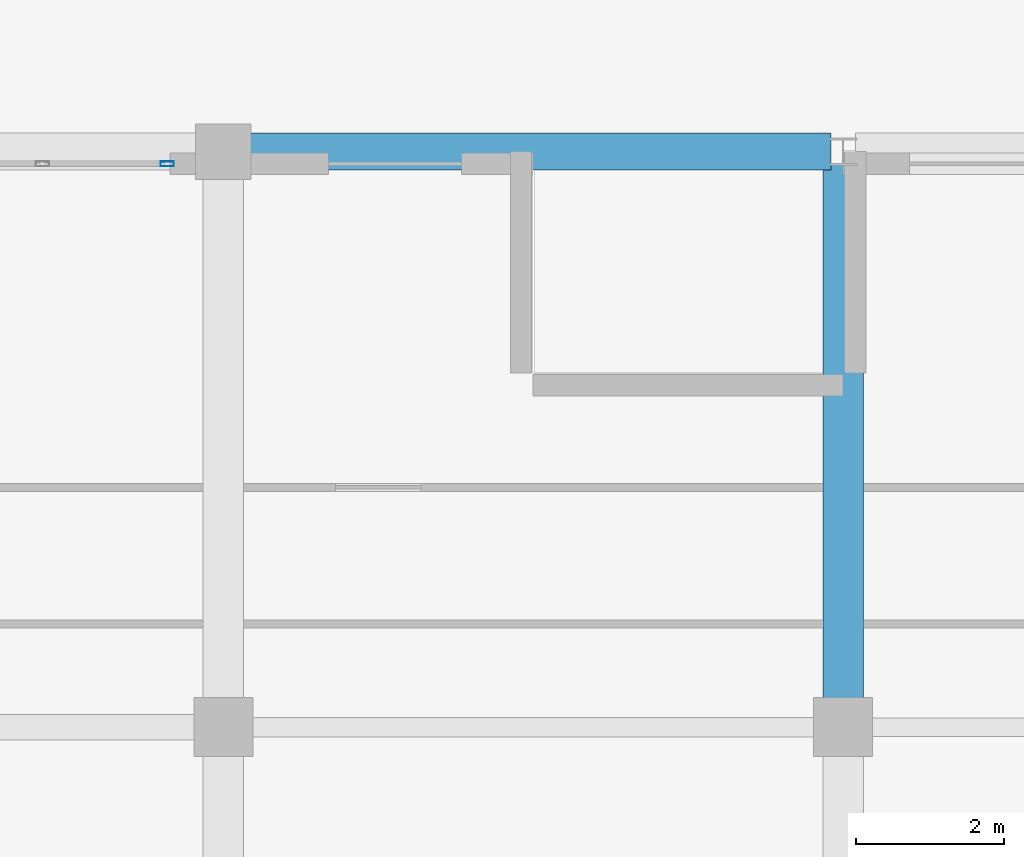
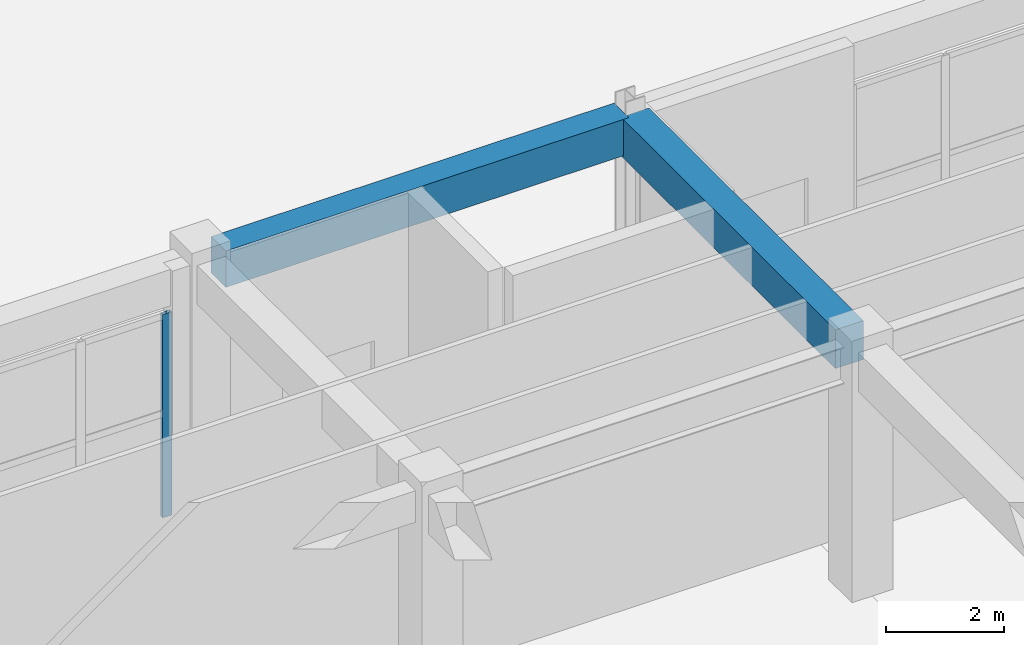
# One storey, part 25 of 148: 2 beams, 1 member, 1 element without a shape of its own.
"""IFC4 building model written with IfcOpenShell, lengths in metres."""

from ifc_helpers import new_model, si_unit, direction, frame, origin, origin_2d, place, context, subcontext, project, spatial, rectangle, hollow_rectangle, extrude, material, layer, layer_set, material_profile, profile_set, type_object, element, aggregate, save


model = new_model("IFC4")

# Units and contexts
model_context = context("Model", 3, precision=1e-05, world=origin(), true_north=direction((0.0, 1.0)))
body_context = subcontext(model_context, "Body", "Model", "MODEL_VIEW")
ifc_project = project(units=[si_unit("LENGTHUNIT", "METRE"), si_unit("AREAUNIT", "SQUARE_METRE"), si_unit("VOLUMEUNIT", "CUBIC_METRE"), si_unit("PLANEANGLEUNIT", "RADIAN"), si_unit("MASSUNIT", "GRAM", prefix="KILO")], contexts=[model_context])

# Site, building, storey
site_placement = place(None, origin())
site = spatial("IfcSite", under=ifc_project, at=site_placement, CompositionType="ELEMENT")
building_placement = place(site_placement, origin())
building = spatial("IfcBuilding", under=site, at=building_placement, Name="Quendrovan Civic Courthouse", CompositionType="ELEMENT")
storey_placement = place(building_placement, origin())
storey = spatial("IfcBuildingStorey", under=building, at=storey_placement, Name="L01", CompositionType="ELEMENT", Elevation=0.0)

# Beams
ifc_material_1 = material(Name="Concrete C40/50", Category="concrete")
ifc_material_profile_1 = material_profile(ifc_material_1, rectangle(XDim=0.5, YDim=0.75, at=origin_2d()), Name="RC-BM-500x750")
ifc_profile_set_1 = profile_set([ifc_material_profile_1], Name="Concrete C40/50")
beam_type_1 = type_object("IfcBeamType", Name="BM-RC750", PredefinedType="SPANDREL", material=ifc_profile_set_1)
beam_1_placement = place(storey_placement, frame((50.7548828125, 15.60009765625, 4.7451171875), z_axis=(1.0, 0.0, 0.0), x_axis=(0.0, 1.0, 0.0)))
element("IfcBeam", 1, at=beam_1_placement, inside=storey, type_object=beam_type_1, Name="L01 Girder X0271", PredefinedType="SPANDREL", context=body_context, shape_type="SweptSolid", body=[
    extrude(rectangle(XDim=0.5, YDim=0.75, at=origin_2d()), origin(), (0.0, 0.0, 1.0), 7.878173828125),
])
ifc_material_profile_2 = material_profile(ifc_material_1, rectangle(XDim=0.550048828125, YDim=0.800048828125, at=origin_2d()), Name="RC-BM-550x800")
ifc_profile_set_2 = profile_set([ifc_material_profile_2], Name="Concrete C40/50")
beam_type_2 = type_object("IfcBeamType", Name="BM-RC800", PredefinedType="BEAM", material=ifc_profile_set_2)
beam_2_placement = place(storey_placement, frame((58.800048828125, 8.179931640625, 4.719970703125), z_axis=(0.0, 1.0, 0.0), x_axis=(-1.0, 0.0, 0.0)))
element("IfcBeam", 2, at=beam_2_placement, inside=storey, type_object=beam_type_2, Name="L01 Girder Y0423", PredefinedType="BEAM", context=body_context, shape_type="SweptSolid", body=[
    extrude(rectangle(XDim=0.550048828125, YDim=0.800048828125, at=origin_2d()), origin(), (0.0, 0.0, 1.0), 7.254150390625),
])

# Curtain wall, member
ifc_material_2 = material(Name="Bronze anodised aluminium and low-E glass", Category="aluminium")
ifc_layer = layer(ifc_material_2, 0.179931640625, Name="Bronze anodised aluminium and low-E glass")
ifc_layer_set = layer_set([ifc_layer], Name="Bronze anodised aluminium and low-E glass")
curtain_wall_type = type_object("IfcCurtainWallType", Name="CW-U69x42", PredefinedType="USERDEFINED", material=ifc_layer_set)
curtain_wall_placement = place(storey_placement, origin())
curtain_wall = element("IfcCurtainWall", 3, at=curtain_wall_placement, inside=storey, type_object=curtain_wall_type, Name="L01 Unitised Hurricane Curtain Wall CW-008", ObjectType="UNITISED CURTAIN WALL", PredefinedType="USERDEFINED")
ifc_material_3 = material(Name="Bronze anodised aluminium", Category="aluminium")
ifc_material_profile_3 = material_profile(ifc_material_3, hollow_rectangle(XDim=0.070068359375, YDim=0.179931640625, WallThickness=0.00390625, at=origin_2d()), Name="CW-MULL-70x180")
ifc_profile_set_3 = profile_set([ifc_material_profile_3], Name="Bronze anodised aluminium")
member_type = type_object("IfcMemberType", Name="CW-MULL-A", PredefinedType="MULLION", material=ifc_profile_set_3)
member_placement = place(storey_placement, frame((49.639892578125, 15.43505859375, 0.0), z_axis=(0.0, 0.0, 1.0), x_axis=(0.0, 1.0, 0.0)))
member = element("IfcMember", 4, at=member_placement, type_object=member_type, Name="CW-008 mullion 5", PredefinedType="MULLION", context=body_context, shape_type="SweptSolid", body=[
    extrude(hollow_rectangle(XDim=0.070068359375, YDim=0.179931640625, WallThickness=0.00390625, at=origin_2d()), origin(), (0.0, 0.0, 1.0), 4.199951171875),
])
aggregate(curtain_wall, [member])

save(model, "model.ifc")
